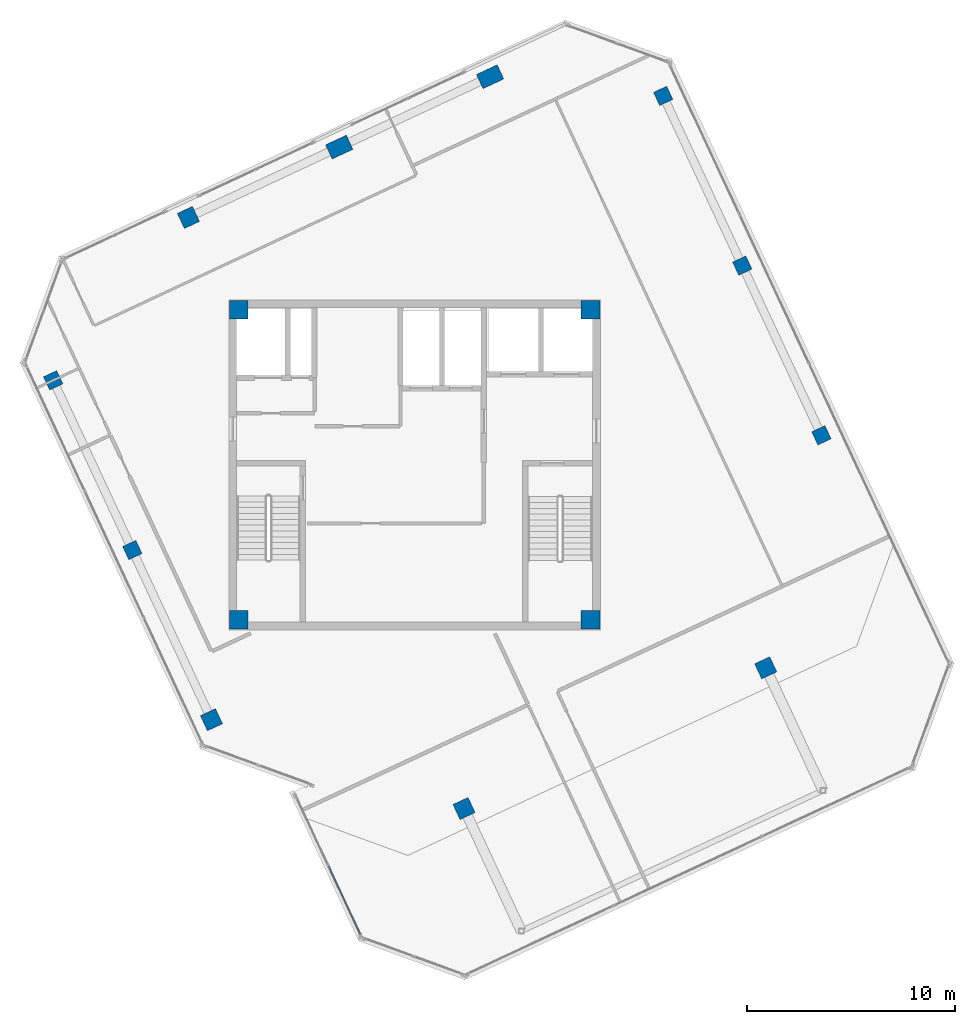
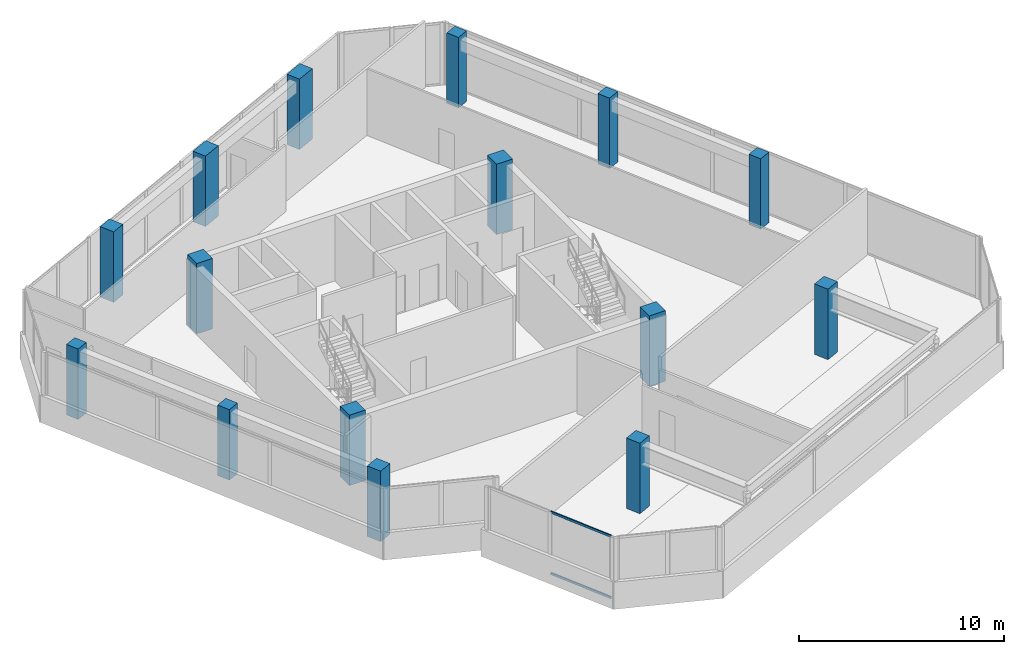
# One storey, part 1 of 17: 15 columns, 2 members, 1 element without a shape of its own.
"""IFC4 building model written with IfcOpenShell, lengths in metres."""

from ifc_helpers import new_model, si_unit, direction, frame, origin, origin_2d, place, context, subcontext, project, spatial, rectangle, hollow_rectangle, extrude, source, transform, mapped, material, material_profile, profile_set, type_object, element, aggregate, save


model = new_model("IFC4")

# Units and contexts
model_context = context("Model", 3, precision=1e-05, world=origin(), true_north=direction((0.0, 1.0)))
body_context = subcontext(model_context, "Body", "Model", "MODEL_VIEW")
ifc_project = project(units=[si_unit("LENGTHUNIT", "METRE"), si_unit("AREAUNIT", "SQUARE_METRE"), si_unit("VOLUMEUNIT", "CUBIC_METRE"), si_unit("PLANEANGLEUNIT", "RADIAN"), si_unit("MASSUNIT", "GRAM", prefix="KILO")], contexts=[model_context])

# Site, building, storey
site_placement = place(None, origin())
site = spatial("IfcSite", under=ifc_project, at=site_placement, CompositionType="ELEMENT")
building_placement = place(site_placement, origin())
building = spatial("IfcBuilding", under=site, at=building_placement, Name="Torre Montelarca", CompositionType="ELEMENT")
storey_placement = place(building_placement, frame((0.0, 0.0, 340.800048828125)))
storey = spatial("IfcBuildingStorey", under=building, at=storey_placement, Name="L77", CompositionType="ELEMENT", Elevation=340.800048828125)

# Columns
ifc_material_1 = material(Name="Concrete C55/67", Category="concrete")
ifc_material_profile_1 = material_profile(ifc_material_1, rectangle(XDim=0.89990234375, YDim=0.89990234375, at=origin_2d()), Name="RC900X900", Category="concrete")
ifc_profile_set_1 = profile_set([ifc_material_profile_1], Name="Concrete C55/67")
column_type_1 = type_object("IfcColumnType", Name="COL-RC900", PredefinedType="COLUMN", material=ifc_profile_set_1)
shared_shape_1 = source(origin(), body_context, "Body", "SweptSolid", [
    extrude(rectangle(XDim=0.89990234375, YDim=0.89990234375, at=origin_2d()), origin(), (0.0, 0.0, 1.0), 4.198486328125),
])
for number, where, z_axis, x_axis, name in (
    (1, (9.550048828125, 24.550048828125, 0.000732421875), (0.0, 0.0, 1.0), (1.0, 0.0, 0.0), "L77 Plumb Core Corner Column 2D"),
    (2, (26.449951171875, 24.550048828125, 0.000732421875), (0.0, 0.0, 1.0), (1.0, 0.0, 0.0), "L77 Plumb Core Corner Column 4D"),
    (3, (9.550048828125, 39.449951171875, 0.000732421875), (0.0, 0.0, 1.0), (1.0, 0.0, 0.0), "L77 Plumb Core Corner Column 2F"),
    (4, (26.449951171875, 39.449951171875, 0.000732421875), (0.0, 0.0, 1.0), (1.0, 0.0, 0.0), "L77 Plumb Core Corner Column 4F"),
):
    element("IfcColumn", number, at=place(storey_placement, frame(where, z_axis=z_axis, x_axis=x_axis)), inside=storey, type_object=column_type_1, Name=name, PredefinedType="COLUMN", context=body_context, shape_type="MappedRepresentation", body=[
        mapped(shared_shape_1, transform((0.0, 0.0, 0.0), scale=1.0)),
    ])
ifc_material_2 = material(Name="Concrete C40/50", Category="concrete")
ifc_material_profile_2 = material_profile(ifc_material_2, rectangle(XDim=0.75, YDim=1.10009765625, at=origin_2d()), Name="RC1100X750", Category="concrete")
ifc_profile_set_2 = profile_set([ifc_material_profile_2], Name="Concrete C40/50")
column_type_2 = type_object("IfcColumnType", Name="COL-PIL1100-EXT", PredefinedType="PILASTER", material=ifc_profile_set_2)
shared_shape_2 = source(origin(), body_context, "Body", "SweptSolid", [
    extrude(rectangle(XDim=0.75, YDim=1.10009765625, at=origin_2d()), origin(), (0.0, 0.0, 1.0), 4.198486328125),
])
for number, where, z_axis, x_axis, name in (
    (5, (14.37890625, 47.271240234375, 0.000732421875), (0.0, 0.0, 1.0), (-0.422618261741, 0.906307787037, 0.0), "L77 Column 1W/E"),
    (6, (21.62939453125, 50.652099609375, 0.000732421875), (0.0, 0.0, 1.0), (-0.422618261741, 0.906307787037, 0.0), "L77 Column 1W/F"),
):
    element("IfcColumn", number, at=place(storey_placement, frame(where, z_axis=z_axis, x_axis=x_axis)), inside=storey, type_object=column_type_2, Name=name, PredefinedType="PILASTER", context=body_context, shape_type="MappedRepresentation", body=[
        mapped(shared_shape_2, transform((0.0, 0.0, 0.0), scale=1.0)),
    ])
ifc_material_profile_3 = material_profile(ifc_material_2, rectangle(XDim=0.800048828125, YDim=0.800048828125, at=origin_2d()), Name="RC800X800", Category="concrete")
ifc_profile_set_3 = profile_set([ifc_material_profile_3], Name="Concrete C40/50")
column_type_3 = type_object("IfcColumnType", Name="COL-RC800-EXT", PredefinedType="COLUMN", material=ifc_profile_set_3)
shared_shape_3 = source(origin(), body_context, "Body", "SweptSolid", [
    extrude(rectangle(XDim=0.800048828125, YDim=0.800048828125, at=origin_2d()), origin(), (0.0, 0.0, 1.0), 4.198486328125),
])
for number, where, z_axis, x_axis, name in (
    (7, (8.23583984375, 19.746337890625, 0.000732421875), (0.0, 0.0, 1.0), (-0.422618261741, 0.906307787037, 0.0), "L77 Column 4/CS"),
    (8, (20.37744140625, 15.4775390625, 0.000732421875), (0.0, 0.0, 1.0), (-0.422618261741, 0.906307787037, 0.0), "L77 Column 5/D"),
    (9, (34.87841796875, 22.239501953125, 0.000732421875), (0.0, 0.0, 1.0), (-0.422618261741, 0.906307787037, 0.0), "L77 Column 5/F"),
    (10, (7.12841796875, 43.890380859375, 0.000732421875), (0.0, 0.0, 1.0), (-0.422618261741, 0.906307787037, 0.0), "L77 Column 1W/D"),
):
    element("IfcColumn", number, at=place(storey_placement, frame(where, z_axis=z_axis, x_axis=x_axis)), inside=storey, type_object=column_type_3, Name=name, PredefinedType="COLUMN", context=body_context, shape_type="MappedRepresentation", body=[
        mapped(shared_shape_3, transform((0.0, 0.0, 0.0), scale=1.0)),
    ])
ifc_material_profile_4 = material_profile(ifc_material_2, rectangle(XDim=0.699951171875, YDim=0.699951171875, at=origin_2d()), Name="RC700X700", Category="concrete")
ifc_profile_set_4 = profile_set([ifc_material_profile_4], Name="Concrete C40/50")
column_type_4 = type_object("IfcColumnType", Name="COL-RC700-EXT", PredefinedType="COLUMN", material=ifc_profile_set_4)
shared_shape_4 = source(origin(), body_context, "Body", "SweptSolid", [
    extrude(rectangle(XDim=0.699951171875, YDim=0.699951171875, at=origin_2d()), origin(), (0.0, 0.0, 1.0), 4.198486328125),
])
for number, where, z_axis, x_axis, name in (
    (11, (0.62890625, 36.059814453125, 0.000732421875), (0.0, 0.0, 1.0), (-0.422618261741, 0.906307787037, 0.0), "L77 Column 2/CS"),
    (12, (29.94775390625, 49.7314453125, 0.000732421875), (0.0, 0.0, 1.0), (-0.422618261741, 0.906307787037, 0.0), "L77 Column 2/GN"),
    (13, (4.432373046875, 27.903076171875, 0.000732421875), (0.0, 0.0, 1.0), (-0.422618261741, 0.906307787037, 0.0), "L77 Column 3/CS"),
    (14, (33.75146484375, 41.57470703125, 0.000732421875), (0.0, 0.0, 1.0), (-0.422618261741, 0.906307787037, 0.0), "L77 Column 3/GN"),
    (15, (37.554931640625, 33.41796875, 0.000732421875), (0.0, 0.0, 1.0), (-0.422618261741, 0.906307787037, 0.0), "L77 Column 4/GN"),
):
    element("IfcColumn", number, at=place(storey_placement, frame(where, z_axis=z_axis, x_axis=x_axis)), inside=storey, type_object=column_type_4, Name=name, PredefinedType="COLUMN", context=body_context, shape_type="MappedRepresentation", body=[
        mapped(shared_shape_4, transform((0.0, 0.0, 0.0), scale=1.0)),
    ])

# Curtain wall, members
ifc_material_3 = material(Name="Insulated low-E laminated glass", Category="glass")
curtain_wall_type = type_object("IfcCurtainWallType", Name="CW-SYS-Z4", PredefinedType="USERDEFINED", material=ifc_material_3)
curtain_wall_placement = place(storey_placement, origin())
curtain_wall = element("IfcCurtainWall", 16, at=curtain_wall_placement, inside=storey, type_object=curtain_wall_type, Name="L77 Curtain Wall Run CW-T3-L77-E04-B1", ObjectType="UNITISED GLAZING", PredefinedType="USERDEFINED")
ifc_material_4 = material(Name="Anodised aluminium AA 6063-T6", Category="aluminium")
ifc_material_profile_5 = material_profile(ifc_material_4, hollow_rectangle(XDim=0.06494140625, YDim=0.139892578125, WallThickness=0.00390625, InnerFilletRadius=0.00390625, OuterFilletRadius=0.008056640625, at=origin_2d()), Name="ALU65X140X4", Category="aluminium")
ifc_profile_set_5 = profile_set([ifc_material_profile_5], Name="Anodised aluminium AA 6063-T6")
member_type = type_object("IfcMemberType", Name="CWT-ALU140", PredefinedType="USERDEFINED", material=ifc_profile_set_5)
shared_shape_5 = source(origin(), body_context, "Body", "SweptSolid", [
    extrude(hollow_rectangle(XDim=0.06494140625, YDim=0.139892578125, WallThickness=0.00390625, InnerFilletRadius=0.00390625, OuterFilletRadius=0.008056640625, at=origin_2d()), origin(), (0.0, 0.0, 1.0), 3.583740234375),
])
member_1_placement = place(storey_placement, frame((13.875, 12.693115234375, 0.032470703125), z_axis=(0.42257589713, -0.906327540774, 0.0), x_axis=(0.906327540774, 0.42257589713, 0.0)))
member_1 = element("IfcMember", 17, at=member_1_placement, type_object=member_type, Name="CW transom 2.1", ObjectType="TRANSOM", PredefinedType="USERDEFINED", context=body_context, shape_type="MappedRepresentation", body=[
    mapped(shared_shape_5, transform((0.0, 0.0, 0.0), scale=1.0)),
])
member_2_placement = place(storey_placement, frame((13.875, 12.693115234375, 3.6875), z_axis=(0.42257589713, -0.906327540774, 0.0), x_axis=(0.906327540774, 0.42257589713, 0.0)))
member_2 = element("IfcMember", 18, at=member_2_placement, type_object=member_type, Name="CW transom 2.2", ObjectType="TRANSOM", PredefinedType="USERDEFINED", context=body_context, shape_type="MappedRepresentation", body=[
    mapped(shared_shape_5, transform((0.0, 0.0, 0.0), scale=1.0)),
])
aggregate(curtain_wall, [member_1, member_2])

save(model, "model.ifc")
